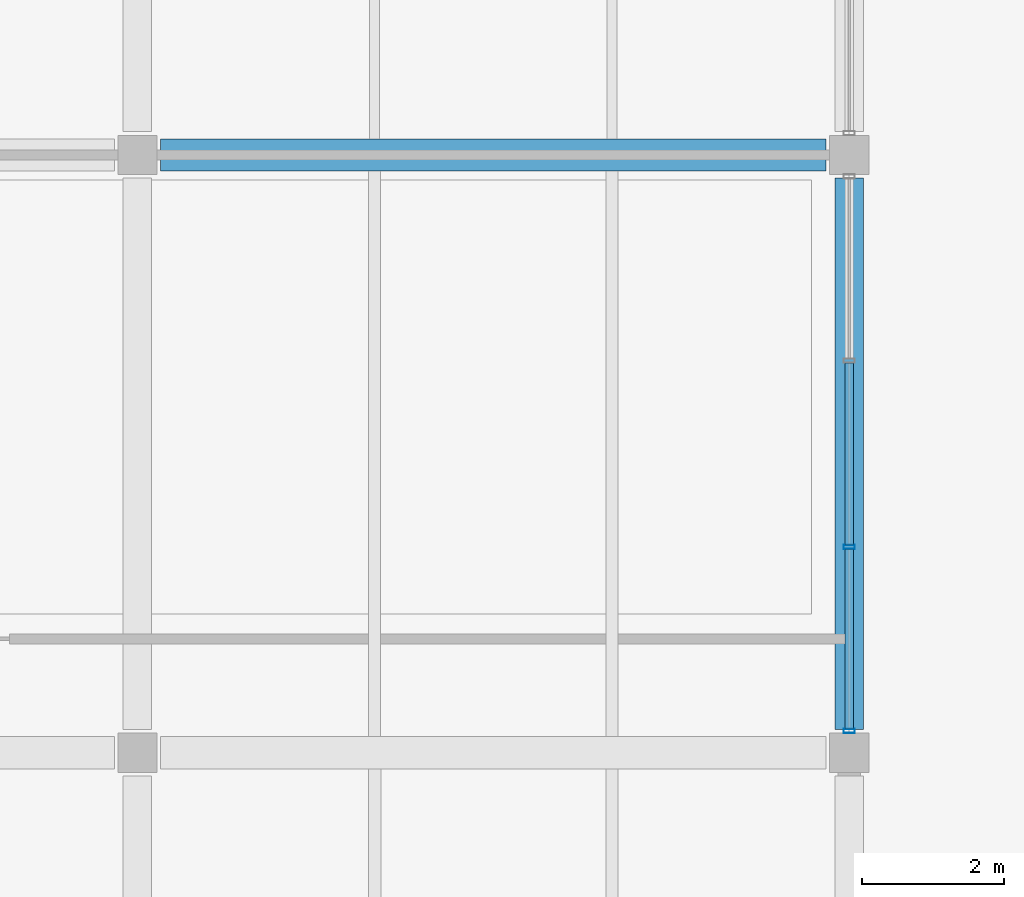
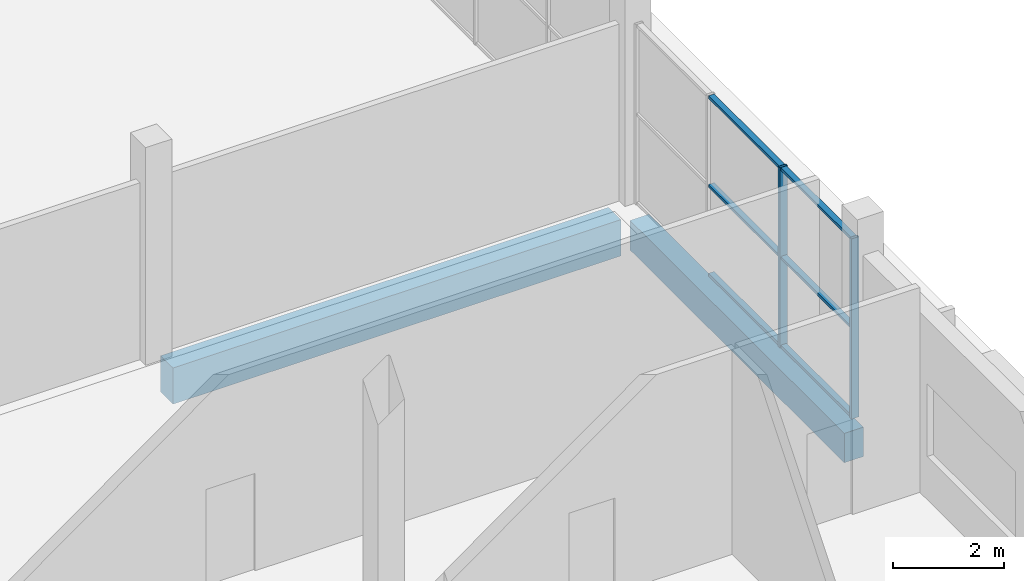
# One storey, part 69 of 130: 8 members, 2 beams, 1 element without a shape of its own.
"""IFC4 building model written with IfcOpenShell, lengths in metres."""

from ifc_helpers import new_model, si_unit, direction, frame, origin, origin_2d, place, context, subcontext, project, spatial, rectangle, hollow_rectangle, extrude, material, material_profile, profile_set, type_object, element, aggregate, save


model = new_model("IFC4")

# Units and contexts
model_context = context("Model", 3, precision=1e-05, world=origin(), true_north=direction((0.0, 1.0)))
body_context = subcontext(model_context, "Body", "Model", "MODEL_VIEW")
ifc_project = project(units=[si_unit("LENGTHUNIT", "METRE"), si_unit("AREAUNIT", "SQUARE_METRE"), si_unit("VOLUMEUNIT", "CUBIC_METRE"), si_unit("PLANEANGLEUNIT", "RADIAN"), si_unit("MASSUNIT", "GRAM", prefix="KILO"), si_unit("THERMODYNAMICTEMPERATUREUNIT", "KELVIN")], contexts=[model_context])

# Site, building, storey
site_placement = place(None, origin())
site = spatial("IfcSite", under=ifc_project, at=site_placement, CompositionType="ELEMENT")
building_placement = place(site_placement, origin())
building = spatial("IfcBuilding", under=site, at=building_placement, Name="Nduvali Passage Aquatics Centre", CompositionType="ELEMENT")
storey_placement = place(building_placement, origin())
storey = spatial("IfcBuildingStorey", under=building, at=storey_placement, Name="L00", CompositionType="ELEMENT", Elevation=0.0)

# Curtain wall, members
ifc_material_1 = material(Name="Aluminium EN AW-6063 T6", Category="aluminium")
curtain_wall_type = type_object("IfcCurtainWallType", Name="ENV-CW-FOYR", PredefinedType="NOTDEFINED", material=ifc_material_1)
curtain_wall_placement = place(storey_placement, origin())
curtain_wall = element("IfcCurtainWall", 1, at=curtain_wall_placement, inside=storey, type_object=curtain_wall_type, Name="L00 East Avenue Entrance Ground CW 081", PredefinedType="NOTDEFINED")
ifc_material_profile_1 = material_profile(ifc_material_1, hollow_rectangle(XDim=0.06005859375, YDim=0.159912109375, WallThickness=0.00390625, at=origin_2d()), Name="ALU MULLION 60x160x4")
ifc_profile_set_1 = profile_set([ifc_material_profile_1], Name="Aluminium EN AW-6063 T6")
member_type_1 = type_object("IfcMemberType", Name="ENV-MEM-MUL60", PredefinedType="MULLION", material=ifc_profile_set_1)
member_1_placement = place(storey_placement, frame((168.0, 33.905029296875, 0.0), z_axis=(0.0, 0.0, 1.0), x_axis=(0.0, 1.0, 0.0)))
member_1 = element("IfcMember", 2, at=member_1_placement, type_object=member_type_1, Name="East Avenue Entrance Ground CW Mullion 1", PredefinedType="MULLION", context=body_context, shape_type="SweptSolid", body=[
    extrude(hollow_rectangle(XDim=0.06005859375, YDim=0.159912109375, WallThickness=0.00390625, at=origin_2d()), origin(), (0.0, 0.0, 1.0), 3.976318359375),
])
member_2_placement = place(storey_placement, frame((168.0, 36.49169921875, 0.0), z_axis=(0.0, 0.0, 1.0), x_axis=(0.0, 1.0, 0.0)))
member_2 = element("IfcMember", 3, at=member_2_placement, type_object=member_type_1, Name="East Avenue Entrance Ground CW Mullion 2", PredefinedType="MULLION", context=body_context, shape_type="SweptSolid", body=[
    extrude(hollow_rectangle(XDim=0.06005859375, YDim=0.159912109375, WallThickness=0.00390625, at=origin_2d()), origin(), (0.0, 0.0, 1.0), 3.976318359375),
])
ifc_material_profile_2 = material_profile(ifc_material_1, hollow_rectangle(XDim=0.1201171875, YDim=0.06005859375, WallThickness=0.00390625, at=origin_2d()), Name="ALU TRANSOM 120x60x4")
ifc_profile_set_2 = profile_set([ifc_material_profile_2], Name="Aluminium EN AW-6063 T6")
member_type_2 = type_object("IfcMemberType", Name="ENV-MEM-TRN60", PredefinedType="USERDEFINED", material=ifc_profile_set_2)
member_3_placement = place(storey_placement, frame((168.0, 33.93505859375, 0.030029296875), z_axis=(0.0, 1.0, 0.0), x_axis=(-1.0, 0.0, 0.0)))
member_3 = element("IfcMember", 4, at=member_3_placement, type_object=member_type_2, Name="East Avenue Entrance Ground CW Transom B1-R0", ObjectType="TRANSOM", PredefinedType="USERDEFINED", context=body_context, shape_type="SweptSolid", body=[
    extrude(hollow_rectangle(XDim=0.1201171875, YDim=0.06005859375, WallThickness=0.00390625, at=origin_2d()), origin(), (0.0, 0.0, 1.0), 2.526611328125),
])
member_4_placement = place(storey_placement, frame((168.0, 33.93505859375, 1.98828125), z_axis=(0.0, 1.0, 0.0), x_axis=(-1.0, 0.0, 0.0)))
member_4 = element("IfcMember", 5, at=member_4_placement, type_object=member_type_2, Name="East Avenue Entrance Ground CW Transom B1-R1", ObjectType="TRANSOM", PredefinedType="USERDEFINED", context=body_context, shape_type="SweptSolid", body=[
    extrude(hollow_rectangle(XDim=0.1201171875, YDim=0.06005859375, WallThickness=0.00390625, at=origin_2d()), origin(), (0.0, 0.0, 1.0), 2.526611328125),
])
member_5_placement = place(storey_placement, frame((168.0, 33.93505859375, 3.9462890625), z_axis=(0.0, 1.0, 0.0), x_axis=(-1.0, 0.0, 0.0)))
member_5 = element("IfcMember", 6, at=member_5_placement, type_object=member_type_2, Name="East Avenue Entrance Ground CW Transom B1-R2", ObjectType="TRANSOM", PredefinedType="USERDEFINED", context=body_context, shape_type="SweptSolid", body=[
    extrude(hollow_rectangle(XDim=0.1201171875, YDim=0.06005859375, WallThickness=0.00390625, at=origin_2d()), origin(), (0.0, 0.0, 1.0), 2.526611328125),
])
member_6_placement = place(storey_placement, frame((168.0, 36.521728515625, 0.030029296875), z_axis=(0.0, 1.0, 0.0), x_axis=(-1.0, 0.0, 0.0)))
member_6 = element("IfcMember", 7, at=member_6_placement, type_object=member_type_2, Name="East Avenue Entrance Ground CW Transom B2-R0", ObjectType="TRANSOM", PredefinedType="USERDEFINED", context=body_context, shape_type="SweptSolid", body=[
    extrude(hollow_rectangle(XDim=0.1201171875, YDim=0.06005859375, WallThickness=0.00390625, at=origin_2d()), origin(), (0.0, 0.0, 1.0), 2.556640625),
])
member_7_placement = place(storey_placement, frame((168.0, 36.521728515625, 1.98828125), z_axis=(0.0, 1.0, 0.0), x_axis=(-1.0, 0.0, 0.0)))
member_7 = element("IfcMember", 8, at=member_7_placement, type_object=member_type_2, Name="East Avenue Entrance Ground CW Transom B2-R1", ObjectType="TRANSOM", PredefinedType="USERDEFINED", context=body_context, shape_type="SweptSolid", body=[
    extrude(hollow_rectangle(XDim=0.1201171875, YDim=0.06005859375, WallThickness=0.00390625, at=origin_2d()), origin(), (0.0, 0.0, 1.0), 2.556640625),
])
member_8_placement = place(storey_placement, frame((168.0, 36.521728515625, 3.9462890625), z_axis=(0.0, 1.0, 0.0), x_axis=(-1.0, 0.0, 0.0)))
member_8 = element("IfcMember", 9, at=member_8_placement, type_object=member_type_2, Name="East Avenue Entrance Ground CW Transom B2-R2", ObjectType="TRANSOM", PredefinedType="USERDEFINED", context=body_context, shape_type="SweptSolid", body=[
    extrude(hollow_rectangle(XDim=0.1201171875, YDim=0.06005859375, WallThickness=0.00390625, at=origin_2d()), origin(), (0.0, 0.0, 1.0), 2.556640625),
])
aggregate(curtain_wall, [member_1, member_2, member_3, member_4, member_5, member_6, member_7, member_8])

# Beams
ifc_material_2 = material(Name="Concrete C40/50", Category="concrete")
ifc_material_profile_3 = material_profile(ifc_material_2, rectangle(XDim=0.449951171875, YDim=0.800048828125, at=origin_2d()), Name="RC 450x800")
ifc_profile_set_3 = profile_set([ifc_material_profile_3], Name="Concrete C40/50")
beam_type_1 = type_object("IfcBeamType", Name="STR-BM-RC4580", PredefinedType="BEAM", material=ifc_profile_set_3)
beam_1_placement = place(storey_placement, frame((158.324951171875, 42.0, -0.699951171875), z_axis=(1.0, 0.0, 0.0), x_axis=(0.0, 1.0, 0.0)))
element("IfcBeam", 10, at=beam_1_placement, inside=storey, type_object=beam_type_1, Name="L00 Primary X-Girder B2A-0050", PredefinedType="BEAM", context=body_context, shape_type="SweptSolid", body=[
    extrude(rectangle(XDim=0.449951171875, YDim=0.800048828125, at=origin_2d()), origin(), (0.0, 0.0, 1.0), 9.35009765625),
])
ifc_material_profile_4 = material_profile(ifc_material_2, rectangle(XDim=0.39990234375, YDim=0.64990234375, at=origin_2d()), Name="RC 400x650")
ifc_profile_set_4 = profile_set([ifc_material_profile_4], Name="Concrete C40/50")
beam_type_2 = type_object("IfcBeamType", Name="STR-SPN-RC4065-EXT", PredefinedType="SPANDREL", material=ifc_profile_set_4)
beam_2_placement = place(storey_placement, frame((168.0, 33.925048828125, -0.625), z_axis=(0.0, 1.0, 0.0), x_axis=(-1.0, 0.0, 0.0)))
element("IfcBeam", 11, at=beam_2_placement, inside=storey, type_object=beam_type_2, Name="L00 Primary Y-Girder SP1E-0248", PredefinedType="SPANDREL", context=body_context, shape_type="SweptSolid", body=[
    extrude(rectangle(XDim=0.39990234375, YDim=0.64990234375, at=origin_2d()), origin(), (0.0, 0.0, 1.0), 7.75),
])

save(model, "model.ifc")
